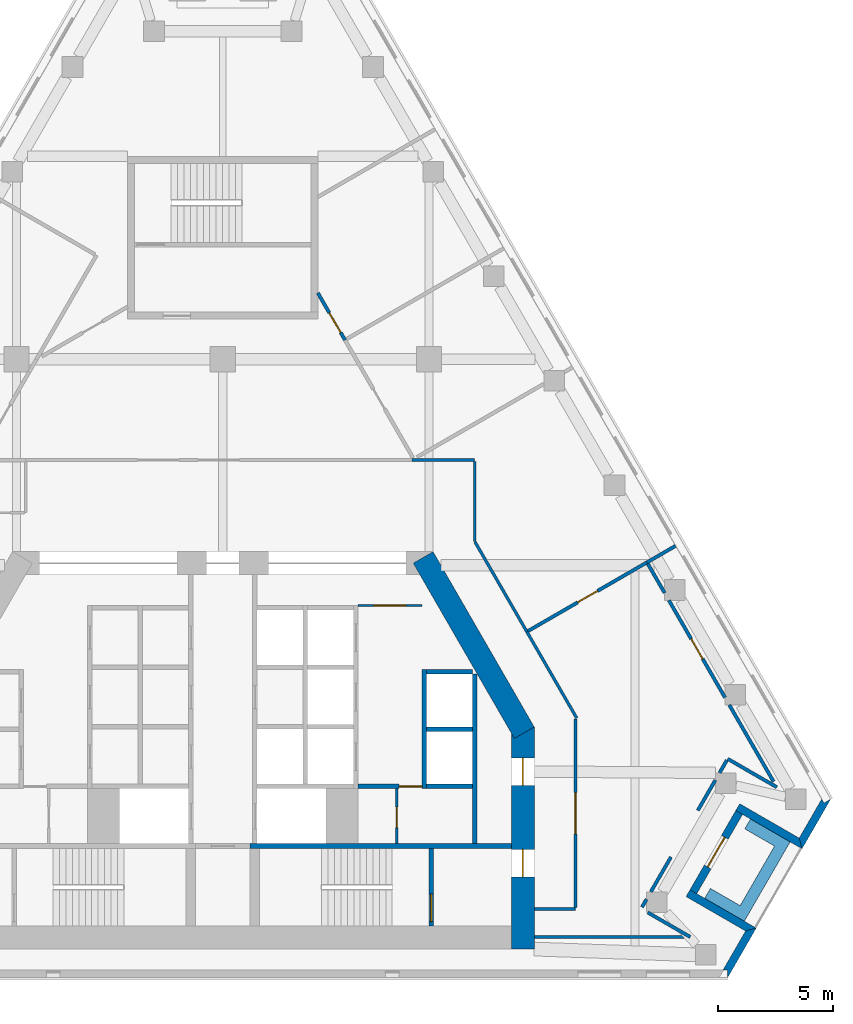
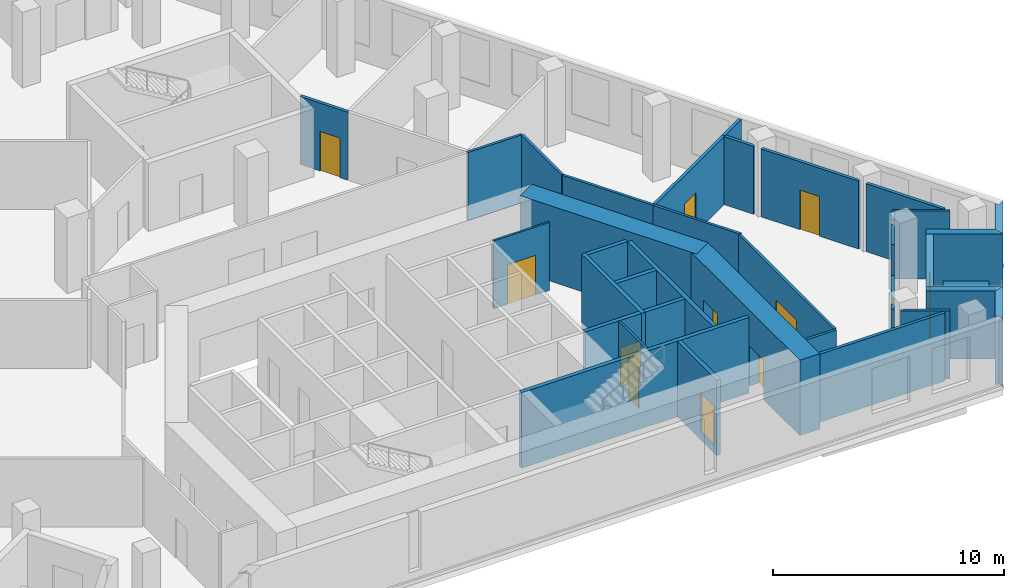
# One storey, part 5 of 8: 37 walls, 11 doors, 11 openings.
"""IFC4 building model written with IfcOpenShell, lengths in metres."""

from ifc_helpers import new_model, si_unit, direction, frame, frame_2d, origin, place, context, subcontext, project, spatial, polyline, rectangle, outline, extrude, material, layer, layer_set, type_object, element, fill, save


model = new_model("IFC4")

# Units and contexts
model_context = context("Model", 3, precision=1e-05, world=origin(), true_north=direction((0.0, 1.0)))
body_context = subcontext(model_context, "Body", "Model", "MODEL_VIEW")
ifc_project = project(units=[si_unit("LENGTHUNIT", "METRE"), si_unit("AREAUNIT", "SQUARE_METRE"), si_unit("VOLUMEUNIT", "CUBIC_METRE"), si_unit("PLANEANGLEUNIT", "RADIAN"), si_unit("MASSUNIT", "GRAM", prefix="KILO")], contexts=[model_context])

# Site, building, storey
site_placement = place(None, origin())
site = spatial("IfcSite", under=ifc_project, at=site_placement, CompositionType="ELEMENT")
building_placement = place(site_placement, origin())
building = spatial("IfcBuilding", under=site, at=building_placement, Name="Fogline Exchange Tower", CompositionType="ELEMENT")
storey_placement = place(building_placement, frame((0.0, 0.0, 243.5)))
storey = spatial("IfcBuildingStorey", under=building, at=storey_placement, Name="L55", CompositionType="ELEMENT", Elevation=243.5)

# Wall, opening, door
ifc_material_1 = material(Name="Blockwork partition", Category="masonry")
ifc_layer_1 = layer(ifc_material_1, 0.10009765625)
ifc_layer_set_1 = layer_set([ifc_layer_1], Name="CW10")
wall_type_1 = type_object("IfcWallType", Name="CW10", PredefinedType="PARTITIONING", material=ifc_layer_set_1)
wall_1_placement = place(storey_placement, frame((5.89990234375, 16.25, 0.0), z_axis=(0.0, 0.0, 1.0), x_axis=(1.0, 0.0, 0.0)))
wall_1 = element("IfcWall", 1, at=wall_1_placement, inside=storey, type_object=wall_type_1, Name="Lift lobby partition", PredefinedType="PARTITIONING", context=body_context, shape_type="SweptSolid", body=[
    extrude(rectangle(XDim=2.800048828125, YDim=0.10009765625, at=frame_2d((1.39990234375, 0.0))), origin(), (0.0, 0.0, 1.0), 3.60009765625),
])
opening_1_placement = place(wall_1_placement, frame((0.699951171875, 0.0, 0.0)))
opening_1 = element("IfcOpeningElement", 2, at=opening_1_placement, cuts=wall_1, Name="Opening T17-C016", PredefinedType="OPENING", context=body_context, shape_type="SweptSolid", body=[
    extrude(rectangle(XDim=1.39990234375, YDim=2.10009765625, at=frame_2d((0.699951171875, 1.050048828125))), frame((0.0, 0.06005859375, 0.0), z_axis=(0.0, -1.0, 0.0), x_axis=(1.0, 0.0, 0.0)), (0.0, 0.0, 1.0), 0.1201171875),
])
ifc_material_2 = material(Name="Steel and timber fire door", Category="steel")
door_type_1 = type_object("IfcDoorType", Name="D-LB1", OperationType="DOUBLE_DOOR_SINGLE_SWING", PredefinedType="DOOR", material=ifc_material_2)
door_1_placement = place(opening_1_placement, origin())
door_1 = element("IfcDoor", 3, at=door_1_placement, inside=storey, type_object=door_type_1, Name="Door to lift lobby", OperationType="DOUBLE_DOOR_SINGLE_SWING", OverallHeight=2.10009765625, OverallWidth=1.39990234375, PredefinedType="DOOR", context=body_context, shape_type="SweptSolid", body=[
    extrude(rectangle(XDim=1.39990234375, YDim=2.10009765625, at=frame_2d((0.699951171875, 1.050048828125))), frame((0.0, 0.02490234375, 0.0), z_axis=(0.0, -1.0, 0.0), x_axis=(1.0, 0.0, 0.0)), (0.0, 0.0, 1.0), 0.050048828125),
])
fill(opening_1, door_1)

wall_2_placement = place(storey_placement, frame((7.60009765625, 5.85009765625, 0.0), z_axis=(0.0, 0.0, 1.0), x_axis=(0.0, 1.0, 0.0)))
wall_2 = element("IfcWall", 4, at=wall_2_placement, inside=storey, type_object=wall_type_1, Name="WC partition", PredefinedType="PARTITIONING", context=body_context, shape_type="SweptSolid", body=[
    extrude(rectangle(XDim=2.39990234375, YDim=0.10009765625, at=frame_2d((1.199951171875, 0.0))), origin(), (0.0, 0.0, 1.0), 3.60009765625),
])
opening_2_placement = place(wall_2_placement, frame((0.699951171875, 0.0, 0.0)))
opening_2 = element("IfcOpeningElement", 5, at=opening_2_placement, cuts=wall_2, Name="Opening T17-C018", PredefinedType="OPENING", context=body_context, shape_type="SweptSolid", body=[
    extrude(rectangle(XDim=0.89990234375, YDim=2.10009765625, at=frame_2d((0.449951171875, 1.050048828125))), frame((0.0, 0.06005859375, 0.0), z_axis=(0.0, -1.0, 0.0), x_axis=(1.0, 0.0, 0.0)), (0.0, 0.0, 1.0), 0.1201171875),
])
door_type_2 = type_object("IfcDoorType", Name="D-CS1", OperationType="SINGLE_SWING_RIGHT", PredefinedType="DOOR", material=ifc_material_2)
door_2_placement = place(opening_2_placement, origin())
door_2 = element("IfcDoor", 6, at=door_2_placement, inside=storey, type_object=door_type_2, Name="Door to Cleaner's Store", OperationType="SINGLE_SWING_LEFT", OverallHeight=2.10009765625, OverallWidth=0.89990234375, PredefinedType="DOOR", context=body_context, shape_type="SweptSolid", body=[
    extrude(rectangle(XDim=0.89990234375, YDim=2.10009765625, at=frame_2d((0.449951171875, 1.050048828125))), frame((0.0, 0.02490234375, 0.0), z_axis=(0.0, -1.0, 0.0), x_axis=(1.0, 0.0, 0.0)), (0.0, 0.0, 1.0), 0.050048828125),
])
fill(opening_2, door_2)

# Wall
ifc_material_3 = material(Name="Concrete C40", Category="concrete")
ifc_layer_2 = layer(ifc_material_3, 0.199951171875)
ifc_layer_set_2 = layer_set([ifc_layer_2], Name="CW20")
wall_type_2 = type_object("IfcWallType", Name="CW20", PredefinedType="SOLIDWALL", material=ifc_layer_set_2)
wall_3_placement = place(storey_placement, frame((11.0, 5.85009765625, 0.0), z_axis=(0.0, 0.0, 1.0), x_axis=(0.0, 1.0, 0.0)))
element("IfcWall", 7, at=wall_3_placement, inside=storey, type_object=wall_type_2, Name="Service room wall", PredefinedType="SOLIDWALL", context=body_context, shape_type="SweptSolid", body=[
    extrude(rectangle(XDim=7.39990234375, YDim=0.199951171875, at=frame_2d((3.699951171875, 0.0))), origin(), (0.0, 0.0, 1.0), 3.60009765625),
])

# Wall, opening, door
wall_4_placement = place(storey_placement, frame((5.89990234375, 8.35009765625, 0.0), z_axis=(0.0, 0.0, 1.0), x_axis=(1.0, 0.0, 0.0)))
wall_4 = element("IfcWall", 8, at=wall_4_placement, inside=storey, type_object=wall_type_2, Name="WC wall", PredefinedType="SOLIDWALL", context=body_context, shape_type="SweptSolid", body=[
    extrude(rectangle(XDim=2.800048828125, YDim=0.199951171875, at=frame_2d((1.39990234375, 0.0))), origin(), (0.0, 0.0, 1.0), 3.60009765625),
])
opening_3_placement = place(wall_4_placement, frame((1.800048828125, 0.0, 0.0)))
opening_3 = element("IfcOpeningElement", 9, at=opening_3_placement, cuts=wall_4, Name="Opening T17-C017", PredefinedType="OPENING", context=body_context, shape_type="SweptSolid", body=[
    extrude(rectangle(XDim=1.0, YDim=2.10009765625, at=frame_2d((0.5, 1.050048828125))), frame((0.0, 0.10986328125, 0.0), z_axis=(0.0, -1.0, 0.0), x_axis=(1.0, 0.0, 0.0)), (0.0, 0.0, 1.0), 0.219970703125),
])
door_type_3 = type_object("IfcDoorType", Name="D-WC1", OperationType="SINGLE_SWING_LEFT", PredefinedType="DOOR", material=ifc_material_2)
door_3_placement = place(opening_3_placement, frame((1.0, 0.0, 0.0), z_axis=(0.0, 0.0, 1.0), x_axis=(-1.0, 0.0, 0.0)))
door_3 = element("IfcDoor", 10, at=door_3_placement, inside=storey, type_object=door_type_3, Name="Door to Women's WC", OperationType="SINGLE_SWING_LEFT", OverallHeight=2.10009765625, OverallWidth=1.0, PredefinedType="DOOR", context=body_context, shape_type="SweptSolid", body=[
    extrude(rectangle(XDim=1.0, YDim=2.10009765625, at=frame_2d((0.5, 1.050048828125))), frame((0.0, 0.02490234375, 0.0), z_axis=(0.0, -1.0, 0.0), x_axis=(1.0, 0.0, 0.0)), (0.0, 0.0, 1.0), 0.050048828125),
])
fill(opening_3, door_3)

# Wall
ifc_layer_3 = layer(ifc_material_3, 0.199951171875)
ifc_layer_set_3 = layer_set([ifc_layer_3], Name="CW20R")
wall_type_3 = type_object("IfcWallType", Name="CW20R", PredefinedType="SOLIDWALL", material=ifc_layer_set_3)
wall_5_placement = place(storey_placement, frame((1.199951171875, 5.75, -0.39990234375), z_axis=(0.0, 0.0, 1.0), x_axis=(1.0, 0.0, 0.0)))
element("IfcWall", 11, at=wall_5_placement, inside=storey, type_object=wall_type_3, Name="Stair enclosure wall", PredefinedType="SOLIDWALL", context=body_context, shape_type="SweptSolid", body=[
    extrude(rectangle(XDim=11.400146484375, YDim=0.199951171875, at=frame_2d((5.7001953125, 0.0))), origin(), (0.0, 0.0, 1.0), 4.0),
])

# Wall, opening, door
wall_6_placement = place(storey_placement, frame((9.10009765625, 2.25, -0.39990234375), z_axis=(0.0, 0.0, 1.0), x_axis=(0.0, 1.0, 0.0)))
wall_6 = element("IfcWall", 12, at=wall_6_placement, inside=storey, type_object=wall_type_3, Name="Stair enclosure wall", PredefinedType="SOLIDWALL", context=body_context, shape_type="SweptSolid", body=[
    extrude(rectangle(XDim=3.39990234375, YDim=0.199951171875, at=frame_2d((1.699951171875, 0.0))), origin(), (0.0, 0.0, 1.0), 4.0),
])
opening_4_placement = place(wall_6_placement, frame((0.199951171875, 0.0, 0.39990234375)))
opening_4 = element("IfcOpeningElement", 13, at=opening_4_placement, cuts=wall_6, Name="Opening T17-C020", PredefinedType="OPENING", context=body_context, shape_type="SweptSolid", body=[
    extrude(rectangle(XDim=1.199951171875, YDim=2.10009765625, at=frame_2d((0.60009765625, 1.050048828125))), frame((0.0, 0.10986328125, 0.0), z_axis=(0.0, -1.0, 0.0), x_axis=(1.0, 0.0, 0.0)), (0.0, 0.0, 1.0), 0.219970703125),
])
door_type_4 = type_object("IfcDoorType", Name="D-ST1", OperationType="SINGLE_SWING_LEFT", PredefinedType="DOOR", material=ifc_material_2)
door_4_placement = place(opening_4_placement, origin())
door_4 = element("IfcDoor", 14, at=door_4_placement, inside=storey, type_object=door_type_4, Name="Stair door ST2", OperationType="SINGLE_SWING_LEFT", OverallHeight=2.10009765625, OverallWidth=1.199951171875, PredefinedType="DOOR", context=body_context, shape_type="SweptSolid", body=[
    extrude(rectangle(XDim=1.199951171875, YDim=2.10009765625, at=frame_2d((0.60009765625, 1.050048828125))), frame((0.0, 0.02490234375, 0.0), z_axis=(0.0, -1.0, 0.0), x_axis=(1.0, 0.0, 0.0)), (0.0, 0.0, 1.0), 0.050048828125),
])
fill(opening_4, door_4)

# Walls
ifc_layer_4 = layer(ifc_material_3, 0.199951171875)
ifc_layer_set_4 = layer_set([ifc_layer_4], Name="CW20S")
wall_type_4 = type_object("IfcWallType", Name="CW20S", PredefinedType="SOLIDWALL", material=ifc_layer_set_4)
wall_7_placement = place(storey_placement, frame((8.800048828125, 8.25, -0.39990234375), z_axis=(0.0, 0.0, 1.0), x_axis=(0.0, 1.0, 0.0)))
element("IfcWall", 15, at=wall_7_placement, inside=storey, type_object=wall_type_4, Name="Lift shaft wall", PredefinedType="SOLIDWALL", context=body_context, shape_type="SweptSolid", body=[
    extrude(rectangle(XDim=5.199951171875, YDim=0.199951171875, at=frame_2d((2.60009765625, 0.0))), origin(), (0.0, 0.0, 1.0), 4.0),
])
for number, where, z_axis, x_axis, name in (
    (16, (8.89990234375, 8.35009765625, -0.39990234375), (0.0, 0.0, 1.0), (1.0, 0.0, 0.0), "Lift shaft wall"),
    (17, (8.89990234375, 10.85009765625, -0.39990234375), (0.0, 0.0, 1.0), (1.0, 0.0, 0.0), "Lift shaft wall"),
    (18, (8.89990234375, 13.35009765625, -0.39990234375), (0.0, 0.0, 1.0), (1.0, 0.0, 0.0), "Lift shaft wall"),
):
    element("IfcWall", number, at=place(storey_placement, frame(where, z_axis=z_axis, x_axis=x_axis)), inside=storey, type_object=wall_type_4, Name=name, PredefinedType="SOLIDWALL", context=body_context, shape_type="SweptSolid", body=[
        extrude(rectangle(XDim=2.0, YDim=0.199951171875, at=frame_2d((1.0, 0.0))), origin(), (0.0, 0.0, 1.0), 4.0),
    ])
ifc_material_4 = material(Name="Brick masonry", Category="masonry")
ifc_layer_5 = layer(ifc_material_4, 0.340087890625)
ifc_layer_set_5 = layer_set([ifc_layer_5], Name="FW1")
wall_type_5 = type_object("IfcWallType", Name="FW1", PredefinedType="SOLIDWALL", material=ifc_layer_set_5)
wall_8_placement = place(storey_placement, origin())
element("IfcWall", 19, at=wall_8_placement, inside=storey, type_object=wall_type_5, Name="Brick wall L55 SE-c1", PredefinedType="SOLIDWALL", context=body_context, shape_type="SweptSolid", body=[
    extrude(outline(polyline([(23.292724609375, 2.165771484375), (22.041748046875, -0.001220703125), (22.041259765625, -0.0009765625), (22.041259765625, 0.33935546875), (21.844482421875, 0.33935546875), (22.826904296875, 2.041015625), (23.29248046875, 2.166015625), (23.292724609375, 2.165771484375)])), origin(), (0.0, 0.0, 1.0), 3.60009765625),
])
wall_9_placement = place(storey_placement, origin())
element("IfcWall", 20, at=wall_9_placement, inside=storey, type_object=wall_type_5, Name="Brick wall L55 SE-s1", PredefinedType="SOLIDWALL", context=body_context, shape_type="SweptSolid", body=[
    extrude(outline(polyline([(20.228515625, 3.540283203125), (20.39892578125, 3.8359375), (20.694091796875, 3.66552734375), (23.29296875, 2.1650390625), (23.29296875, 2.164794921875), (22.8271484375, 2.0400390625), (20.228515625, 3.540283203125)])), origin(), (0.0, 0.0, 1.0), 3.60009765625),
])

# Wall, opening, door
wall_10_placement = place(storey_placement, frame((20.54638671875, 3.75, 0.0), z_axis=(0.0, 0.0, 1.0), x_axis=(0.49999894854, 0.866026010844, 0.0)))
wall_10 = element("IfcWall", 21, at=wall_10_placement, inside=storey, type_object=wall_type_5, Name="Brick wall L55 SE-bk", PredefinedType="SOLIDWALL", context=body_context, shape_type="SweptSolid", body=[
    extrude(rectangle(XDim=4.0, YDim=0.340087890625, at=frame_2d((2.0, 0.0))), origin(), (0.0, 0.0, 1.0), 3.60009765625),
])
opening_5_placement = place(wall_10_placement, frame((1.25, 0.0, 0.0)))
opening_5 = element("IfcOpeningElement", 22, at=opening_5_placement, cuts=wall_10, Name="Opening T17-E081", PredefinedType="OPENING", context=body_context, shape_type="SweptSolid", body=[
    extrude(rectangle(XDim=1.5, YDim=2.39990234375, at=frame_2d((0.75, 1.199951171875))), frame((0.0, 0.18017578125, 0.0), z_axis=(0.0, -1.0, 0.0), x_axis=(1.0, 0.0, 0.0)), (0.0, 0.0, 1.0), 0.360107421875),
])
ifc_material_5 = material(Name="Aluminium and glass", Category="aluminium")
door_type_5 = type_object("IfcDoorType", Name="ED4", OperationType="SINGLE_SWING_LEFT", PredefinedType="DOOR", material=ifc_material_5)
door_5_placement = place(opening_5_placement, frame((1.5, 0.0, 0.0), z_axis=(0.0, 0.0, 1.0), x_axis=(-1.0, 0.0, 0.0)))
door_5 = element("IfcDoor", 23, at=door_5_placement, inside=storey, type_object=door_type_5, Name="Balcony door L55 SE", OperationType="DOUBLE_DOOR_SINGLE_SWING", OverallHeight=2.39990234375, OverallWidth=1.5, PredefinedType="DOOR", context=body_context, shape_type="SweptSolid", body=[
    extrude(rectangle(XDim=1.5, YDim=2.39990234375, at=frame_2d((0.75, 1.199951171875))), frame((0.0, 0.02490234375, 0.0), z_axis=(0.0, -1.0, 0.0), x_axis=(1.0, 0.0, 0.0)), (0.0, 0.0, 1.0), 0.050048828125),
])
fill(opening_5, door_5)

# Walls
wall_11_placement = place(storey_placement, origin())
element("IfcWall", 24, at=wall_11_placement, inside=storey, type_object=wall_type_5, Name="Brick wall L55 SE-s2", PredefinedType="SOLIDWALL", context=body_context, shape_type="SweptSolid", body=[
    extrude(outline(polyline([(25.292236328125, 5.628173828125), (22.693359375, 7.128662109375), (22.3984375, 7.298828125), (22.569091796875, 7.594482421875), (25.167724609375, 6.093994140625), (25.29248046875, 5.62841796875), (25.292236328125, 5.628173828125)])), origin(), (0.0, 0.0, 1.0), 3.60009765625),
])
wall_12_placement = place(storey_placement, origin())
element("IfcWall", 25, at=wall_12_placement, inside=storey, type_object=wall_type_5, Name="Brick wall L55 SE-c2", PredefinedType="SOLIDWALL", context=body_context, shape_type="SweptSolid", body=[
    extrude(outline(polyline([(26.149169921875, 7.79541015625), (26.24755859375, 7.625), (26.54248046875, 7.79541015625), (26.542724609375, 7.794921875), (25.291748046875, 5.6279296875), (25.29150390625, 5.6279296875), (25.166748046875, 6.09375), (26.149169921875, 7.79541015625)])), origin(), (0.0, 0.0, 1.0), 3.60009765625),
])
ifc_material_6 = material(Name="Concrete C30", Category="concrete")
ifc_layer_6 = layer(ifc_material_6, 0.199951171875)
ifc_layer_set_6 = layer_set([ifc_layer_6], Name="PL1")
wall_type_6 = type_object("IfcWallType", Name="PL1", PredefinedType="USERDEFINED", material=ifc_layer_set_6)
wall_13_placement = place(storey_placement, origin())
element("IfcWall", 26, at=wall_13_placement, inside=storey, type_object=wall_type_6, Name="PLANTER balcony L55 SE", ObjectType="PLANTER", PredefinedType="USERDEFINED", context=body_context, shape_type="SweptSolid", body=[
    extrude(outline(polyline([(21.0400390625, 3.465087890625), (22.339111328125, 2.715087890625), (22.339111328125, 2.715087890625), (22.772216796875, 2.465087890625), (24.522216796875, 5.49609375), (24.772216796875, 5.92919921875), (23.0400390625, 6.92919921875), (22.7900390625, 6.49609375), (24.089111328125, 5.74609375), (22.589111328125, 3.148193359375), (21.2900390625, 3.898193359375), (21.0400390625, 3.465087890625)])), origin(), (0.0, 0.0, 1.0), 1.10009765625),
])
ifc_material_7 = material(Name="Plasterboard corridor partition with mineral wool, 2 layers each side")
ifc_layer_7 = layer(ifc_material_7, 0.125)
ifc_layer_set_7 = layer_set([ifc_layer_7], Name="PW2")
wall_type_7 = type_object("IfcWallType", Name="PW2", PredefinedType="PARTITIONING", material=ifc_layer_set_7)
wall_14_placement = place(storey_placement, frame((11.015380859375, 19.02197265625, 0.0), z_axis=(0.0, 0.0, 1.0), x_axis=(0.50001679657, -0.866015706063, 0.0)))
element("IfcWall", 27, at=wall_14_placement, inside=storey, type_object=wall_type_7, Name="wall-L55-W001", PredefinedType="PARTITIONING", context=body_context, shape_type="SweptSolid", body=[
    extrude(rectangle(XDim=4.523193359375, YDim=0.125, at=frame_2d((2.26171875, 0.0))), origin(), (0.0, 0.0, 1.0), 3.60009765625),
])
wall_15_placement = place(storey_placement, frame((13.277099609375, 15.104736328125, 0.0), z_axis=(0.0, 0.0, 1.0), x_axis=(0.500010417683, -0.866019389049, 0.0)))
element("IfcWall", 28, at=wall_15_placement, inside=storey, type_object=wall_type_7, Name="wall-L55-W002", PredefinedType="PARTITIONING", context=body_context, shape_type="SweptSolid", body=[
    extrude(rectangle(XDim=4.3544921875, YDim=0.125, at=frame_2d((2.17724609375, 0.0))), origin(), (0.0, 0.0, 1.0), 3.60009765625),
])

# Wall, opening, door
wall_16_placement = place(storey_placement, frame((15.39990234375, 11.302734375, 0.0), z_axis=(0.0, 0.0, 1.0), x_axis=(0.0, -1.0, 0.0)))
wall_16 = element("IfcWall", 29, at=wall_16_placement, inside=storey, type_object=wall_type_7, Name="wall-L55-W003", PredefinedType="PARTITIONING", context=body_context, shape_type="SweptSolid", body=[
    extrude(rectangle(XDim=8.240234375, YDim=0.125, at=frame_2d((4.1201171875, 0.0))), origin(), (0.0, 0.0, 1.0), 3.60009765625),
])
opening_6_placement = place(wall_16_placement, frame((3.22021484375, 0.0, 0.0)))
opening_6 = element("IfcOpeningElement", 30, at=opening_6_placement, cuts=wall_16, Name="Opening T17-D001", PredefinedType="OPENING", context=body_context, shape_type="SweptSolid", body=[
    extrude(rectangle(XDim=1.800048828125, YDim=2.10009765625, at=frame_2d((0.89990234375, 1.050048828125))), frame((0.0, 0.072509765625, 0.0), z_axis=(0.0, -1.0, 0.0), x_axis=(1.0, 0.0, 0.0)), (0.0, 0.0, 1.0), 0.14501953125),
])
ifc_material_8 = material(Name="Fire-rated timber door leaves with steel frame", Category="steel")
door_type_6 = type_object("IfcDoorType", Name="D4", OperationType="DOUBLE_DOOR_SINGLE_SWING", PredefinedType="DOOR", material=ifc_material_8)
door_6_placement = place(opening_6_placement, frame((1.800048828125, 0.0, 0.0), z_axis=(0.0, 0.0, 1.0), x_axis=(-1.0, 0.0, 0.0)))
door_6 = element("IfcDoor", 31, at=door_6_placement, inside=storey, type_object=door_type_6, Name="door-L55-D001", OperationType="DOUBLE_DOOR_SINGLE_SWING", OverallHeight=2.10009765625, OverallWidth=1.800048828125, PredefinedType="DOOR", context=body_context, shape_type="SweptSolid", body=[
    extrude(rectangle(XDim=1.800048828125, YDim=2.10009765625, at=frame_2d((0.89990234375, 1.050048828125))), frame((0.0, 0.02490234375, 0.0), z_axis=(0.0, -1.0, 0.0), x_axis=(1.0, 0.0, 0.0)), (0.0, 0.0, 1.0), 0.050048828125),
])
fill(opening_6, door_6)

# Walls
wall_17_placement = place(storey_placement, frame((15.39990234375, 3.0, 0.0), z_axis=(0.0, 0.0, 1.0), x_axis=(-1.0, 0.0, 0.0)))
element("IfcWall", 32, at=wall_17_placement, inside=storey, type_object=wall_type_7, Name="wall-L55-W004", PredefinedType="PARTITIONING", context=body_context, shape_type="SweptSolid", body=[
    extrude(rectangle(XDim=1.7998046875, YDim=0.125, at=frame_2d((0.89990234375, 0.0))), origin(), (0.0, 0.0, 1.0), 3.60009765625),
])
wall_18_placement = place(storey_placement, frame((8.25927734375, 22.60009765625, 0.0), z_axis=(0.0, 0.0, 1.0), x_axis=(1.0, 0.0, 0.0)))
element("IfcWall", 33, at=wall_18_placement, inside=storey, type_object=wall_type_7, Name="wall-L55-W005", PredefinedType="PARTITIONING", context=body_context, shape_type="SweptSolid", body=[
    extrude(rectangle(XDim=2.74072265625, YDim=0.125, at=frame_2d((1.370361328125, 0.0))), origin(), (0.0, 0.0, 1.0), 3.60009765625),
])
wall_19_placement = place(storey_placement, frame((11.0, 22.53759765625, 0.0), z_axis=(0.0, 0.0, 1.0), x_axis=(0.0, -1.0, 0.0)))
element("IfcWall", 34, at=wall_19_placement, inside=storey, type_object=wall_type_7, Name="wall-L55-W006", PredefinedType="PARTITIONING", context=body_context, shape_type="SweptSolid", body=[
    extrude(rectangle(XDim=3.489013671875, YDim=0.125, at=frame_2d((1.74462890625, 0.0))), origin(), (0.0, 0.0, 1.0), 3.60009765625),
])
ifc_material_9 = material(Name="Plasterboard demising partition with mineral wool and acoustic board")
ifc_layer_8 = layer(ifc_material_9, 0.14990234375)
ifc_layer_set_8 = layer_set([ifc_layer_8], Name="PW3")
wall_type_8 = type_object("IfcWallType", Name="PW3", PredefinedType="PARTITIONING", material=ifc_layer_set_8)
wall_20_placement = place(storey_placement, frame((19.765625, 18.850830078125, 0.0), z_axis=(0.0, 0.0, 1.0), x_axis=(-0.866038426532, -0.499977443261, 0.0)))
element("IfcWall", 35, at=wall_20_placement, inside=storey, type_object=wall_type_8, Name="wall-L55-W017", PredefinedType="PARTITIONING", context=body_context, shape_type="SweptSolid", body=[
    extrude(rectangle(XDim=1.4365234375, YDim=0.14990234375, at=frame_2d((0.71826171875, 0.0))), origin(), (0.0, 0.0, 1.0), 3.60009765625),
])

# Wall, opening, door
wall_21_placement = place(storey_placement, frame((18.521484375, 18.132568359375, 0.0), z_axis=(0.0, 0.0, 1.0), x_axis=(-0.866023452362, -0.500003379947, 0.0)))
wall_21 = element("IfcWall", 36, at=wall_21_placement, inside=storey, type_object=wall_type_8, Name="wall-L55-W018", PredefinedType="PARTITIONING", context=body_context, shape_type="SweptSolid", body=[
    extrude(rectangle(XDim=5.9931640625, YDim=0.14990234375, at=frame_2d((2.99658203125, 0.0))), origin(), (0.0, 0.0, 1.0), 3.60009765625),
])
opening_7_placement = place(wall_21_placement, frame((2.49658203125, 0.0, 0.0)))
opening_7 = element("IfcOpeningElement", 37, at=opening_7_placement, cuts=wall_21, Name="Opening T17-D007", PredefinedType="OPENING", context=body_context, shape_type="SweptSolid", body=[
    extrude(rectangle(XDim=1.0, YDim=2.10009765625, at=frame_2d((0.5, 1.050048828125))), frame((0.0, 0.0849609375, 0.0), z_axis=(0.0, -1.0, 0.0), x_axis=(1.0, 0.0, 0.0)), (0.0, 0.0, 1.0), 0.169921875),
])
ifc_material_10 = material(Name="Fire-rated timber door leaf with steel frame", Category="steel")
door_type_7 = type_object("IfcDoorType", Name="D3", OperationType="SINGLE_SWING_LEFT", PredefinedType="DOOR", material=ifc_material_10)
door_7_placement = place(opening_7_placement, frame((1.0, 0.0, 0.0), z_axis=(0.0, 0.0, 1.0), x_axis=(-1.0, 0.0, 0.0)))
door_7 = element("IfcDoor", 38, at=door_7_placement, inside=storey, type_object=door_type_7, Name="door-L55-D007", OperationType="SINGLE_SWING_RIGHT", OverallHeight=2.10009765625, OverallWidth=1.0, PredefinedType="DOOR", context=body_context, shape_type="SweptSolid", body=[
    extrude(rectangle(XDim=1.0, YDim=2.10009765625, at=frame_2d((0.5, 1.050048828125))), frame((0.0, 0.02490234375, 0.0), z_axis=(0.0, -1.0, 0.0), x_axis=(1.0, 0.0, 0.0)), (0.0, 0.0, 1.0), 0.050048828125),
])
fill(opening_7, door_7)

wall_22_placement = place(storey_placement, frame((5.33740234375, 27.84130859375, 0.0), z_axis=(0.0, 0.0, 1.0), x_axis=(-0.500030943131, 0.866007538022, 0.0)))
wall_22 = element("IfcWall", 39, at=wall_22_placement, inside=storey, type_object=wall_type_8, Name="wall-L55-W022", PredefinedType="PARTITIONING", context=body_context, shape_type="SweptSolid", body=[
    extrude(rectangle(XDim=2.374755859375, YDim=0.14990234375, at=frame_2d((1.1875, 0.0))), origin(), (0.0, 0.0, 1.0), 3.60009765625),
])
opening_8_placement = place(wall_22_placement, frame((0.369384765625, 0.0, 0.0)))
opening_8 = element("IfcOpeningElement", 40, at=opening_8_placement, cuts=wall_22, Name="Opening T17-D009", PredefinedType="OPENING", context=body_context, shape_type="SweptSolid", body=[
    extrude(rectangle(XDim=1.0, YDim=2.10009765625, at=frame_2d((0.5, 1.050048828125))), frame((0.0, 0.0849609375, 0.0), z_axis=(0.0, -1.0, 0.0), x_axis=(1.0, 0.0, 0.0)), (0.0, 0.0, 1.0), 0.169921875),
])
door_8_placement = place(opening_8_placement, frame((1.0, 0.0, 0.0), z_axis=(0.0, 0.0, 1.0), x_axis=(-1.0, 0.0, 0.0)))
door_8 = element("IfcDoor", 41, at=door_8_placement, inside=storey, type_object=door_type_7, Name="door-L55-D009", OperationType="SINGLE_SWING_RIGHT", OverallHeight=2.10009765625, OverallWidth=1.0, PredefinedType="DOOR", context=body_context, shape_type="SweptSolid", body=[
    extrude(rectangle(XDim=1.0, YDim=2.10009765625, at=frame_2d((0.5, 1.050048828125))), frame((0.0, 0.02490234375, 0.0), z_axis=(0.0, -1.0, 0.0), x_axis=(1.0, 0.0, 0.0)), (0.0, 0.0, 1.0), 0.050048828125),
])
fill(opening_8, door_8)

# Walls
wall_23_placement = place(storey_placement, frame((13.60009765625, 1.776611328125, 0.0), z_axis=(0.0, 0.0, 1.0), x_axis=(1.0, 0.0, 0.0)))
element("IfcWall", 42, at=wall_23_placement, inside=storey, type_object=wall_type_8, Name="wall-L55-W035", PredefinedType="PARTITIONING", context=body_context, shape_type="SweptSolid", body=[
    extrude(rectangle(XDim=6.53125, YDim=0.14990234375, at=frame_2d((3.265625, 0.0))), origin(), (0.0, 0.0, 1.0), 3.60009765625),
])
wall_24_placement = place(storey_placement, frame((20.41162109375, 1.776611328125, 0.0), z_axis=(0.0, 0.0, 1.0), x_axis=(-0.866028272008, 0.499995032058, 0.0)))
element("IfcWall", 43, at=wall_24_placement, inside=storey, type_object=wall_type_8, Name="wall-L55-W036", PredefinedType="PARTITIONING", context=body_context, shape_type="SweptSolid", body=[
    extrude(rectangle(XDim=2.14501953125, YDim=0.14990234375, at=frame_2d((1.072509765625, 0.0))), origin(), (0.0, 0.0, 1.0), 3.60009765625),
])
wall_25_placement = place(storey_placement, frame((18.304443359375, 3.079833984375, 0.0), z_axis=(0.0, 0.0, 1.0), x_axis=(0.500389020248, 0.86580068631, 0.0)))
element("IfcWall", 44, at=wall_25_placement, inside=storey, type_object=wall_type_8, Name="wall-L55-W037", PredefinedType="PARTITIONING", context=body_context, shape_type="SweptSolid", body=[
    extrude(rectangle(XDim=0.401611328125, YDim=0.14990234375, at=frame_2d((0.20068359375, 0.0))), origin(), (0.0, 0.0, 1.0), 3.60009765625),
])
wall_26_placement = place(storey_placement, frame((18.69091796875, 3.7490234375, 0.0), z_axis=(0.0, 0.0, 1.0), x_axis=(0.499927324528, 0.866067358922, 0.0)))
element("IfcWall", 45, at=wall_26_placement, inside=storey, type_object=wall_type_8, Name="wall-L55-W038", PredefinedType="PARTITIONING", context=body_context, shape_type="SweptSolid", body=[
    extrude(rectangle(XDim=1.753662109375, YDim=0.14990234375, at=frame_2d((0.876953125, 0.0))), origin(), (0.0, 0.0, 1.0), 3.60009765625),
])
wall_27_placement = place(storey_placement, frame((20.74267578125, 7.302978515625, 0.0), z_axis=(0.0, 0.0, 1.0), x_axis=(0.50006423267, 0.865988315859, 0.0)))
element("IfcWall", 46, at=wall_27_placement, inside=storey, type_object=wall_type_8, Name="wall-L55-W039", PredefinedType="PARTITIONING", context=body_context, shape_type="SweptSolid", body=[
    extrude(rectangle(XDim=1.525146484375, YDim=0.14990234375, at=frame_2d((0.7626953125, 0.0))), origin(), (0.0, 0.0, 1.0), 3.60009765625),
])
wall_28_placement = place(storey_placement, frame((21.69091796875, 8.9453125, 0.0), z_axis=(0.0, 0.0, 1.0), x_axis=(0.499890179513, 0.866088799389, 0.0)))
element("IfcWall", 47, at=wall_28_placement, inside=storey, type_object=wall_type_8, Name="wall-L55-W040", PredefinedType="PARTITIONING", context=body_context, shape_type="SweptSolid", body=[
    extrude(rectangle(XDim=0.630126953125, YDim=0.14990234375, at=frame_2d((0.31494140625, 0.0))), origin(), (0.0, 0.0, 1.0), 3.60009765625),
])
wall_29_placement = place(storey_placement, frame((22.04345703125, 9.555908203125, 0.0), z_axis=(0.0, 0.0, 1.0), x_axis=(0.866026347786, -0.499998364937, 0.0)))
element("IfcWall", 48, at=wall_29_placement, inside=storey, type_object=wall_type_8, Name="wall-L55-W041", PredefinedType="PARTITIONING", context=body_context, shape_type="SweptSolid", body=[
    extrude(rectangle(XDim=2.4765625, YDim=0.14990234375, at=frame_2d((1.23828125, 0.0))), origin(), (0.0, 0.0, 1.0), 3.60009765625),
])
wall_30_placement = place(storey_placement, frame((24.048095703125, 8.560546875, 0.0), z_axis=(0.0, 0.0, 1.0), x_axis=(-0.500001053386, 0.866024795611, 0.0)))
element("IfcWall", 49, at=wall_30_placement, inside=storey, type_object=wall_type_8, Name="wall-L55-W042", PredefinedType="PARTITIONING", context=body_context, shape_type="SweptSolid", body=[
    extrude(rectangle(XDim=3.86865234375, YDim=0.14990234375, at=frame_2d((1.934326171875, 0.0))), origin(), (0.0, 0.0, 1.0), 3.60009765625),
])

# Wall, opening, door
wall_31_placement = place(storey_placement, frame((21.92822265625, 12.232177734375, 0.0), z_axis=(0.0, 0.0, 1.0), x_axis=(-0.500001252094, 0.866024680886, 0.0)))
wall_31 = element("IfcWall", 50, at=wall_31_placement, inside=storey, type_object=wall_type_8, Name="wall-L55-W043", PredefinedType="PARTITIONING", context=body_context, shape_type="SweptSolid", body=[
    extrude(rectangle(XDim=4.90185546875, YDim=0.14990234375, at=frame_2d((2.450927734375, 0.0))), origin(), (0.0, 0.0, 1.0), 3.60009765625),
])
opening_9_placement = place(wall_31_placement, frame((1.950927734375, 0.0, 0.0)))
opening_9 = element("IfcOpeningElement", 51, at=opening_9_placement, cuts=wall_31, Name="Opening T17-D012", PredefinedType="OPENING", context=body_context, shape_type="SweptSolid", body=[
    extrude(rectangle(XDim=1.0, YDim=2.10009765625, at=frame_2d((0.5, 1.050048828125))), frame((0.0, 0.0849609375, 0.0), z_axis=(0.0, -1.0, 0.0), x_axis=(1.0, 0.0, 0.0)), (0.0, 0.0, 1.0), 0.169921875),
])
door_9_placement = place(opening_9_placement, frame((1.0, 0.0, 0.0), z_axis=(0.0, 0.0, 1.0), x_axis=(-1.0, 0.0, 0.0)))
door_9 = element("IfcDoor", 52, at=door_9_placement, inside=storey, type_object=door_type_7, Name="door-L55-D012", OperationType="SINGLE_SWING_RIGHT", OverallHeight=2.10009765625, OverallWidth=1.0, PredefinedType="DOOR", context=body_context, shape_type="SweptSolid", body=[
    extrude(rectangle(XDim=1.0, YDim=2.10009765625, at=frame_2d((0.5, 1.050048828125))), frame((0.0, 0.02490234375, 0.0), z_axis=(0.0, -1.0, 0.0), x_axis=(1.0, 0.0, 0.0)), (0.0, 0.0, 1.0), 0.050048828125),
])
fill(opening_9, door_9)

# Wall
wall_32_placement = place(storey_placement, frame((19.291748046875, 16.798583984375, 0.0), z_axis=(0.0, 0.0, 1.0), x_axis=(-0.499991665488, 0.866030215664, 0.0)))
element("IfcWall", 53, at=wall_32_placement, inside=storey, type_object=wall_type_8, Name="wall-L55-W044", PredefinedType="PARTITIONING", context=body_context, shape_type="SweptSolid", body=[
    extrude(rectangle(XDim=1.46533203125, YDim=0.14990234375, at=frame_2d((0.732666015625, 0.0))), origin(), (0.0, 0.0, 1.0), 3.60009765625),
])

# Wall, openings, doors
ifc_material_11 = material(Name="Concrete C60", Category="concrete")
ifc_layer_9 = layer(ifc_material_11, 1.0)
ifc_layer_set_9 = layer_set([ifc_layer_9], Name="SW03")
wall_type_9 = type_object("IfcWallType", Name="SW03", PredefinedType="SHEAR", material=ifc_layer_set_9)
wall_33_placement = place(storey_placement, frame((13.10009765625, 1.25, 0.0), z_axis=(0.0, 0.0, 1.0), x_axis=(0.0, 1.0, 0.0)))
wall_33 = element("IfcWall", 54, at=wall_33_placement, inside=storey, type_object=wall_type_9, Name="L55-W902", PredefinedType="SHEAR", context=body_context, shape_type="SweptSolid", body=[
    extrude(rectangle(XDim=9.6953125, YDim=1.0, at=frame_2d((4.84765625, 0.0))), origin(), (0.0, 0.0, 1.0), 4.0),
])
opening_10_placement = place(wall_33_placement, frame((3.14990234375, 0.0, 0.0)))
opening_10 = element("IfcOpeningElement", 55, at=opening_10_placement, cuts=wall_33, Name="Opening T17-C019", PredefinedType="OPENING", context=body_context, shape_type="SweptSolid", body=[
    extrude(rectangle(XDim=1.199951171875, YDim=2.10009765625, at=frame_2d((0.60009765625, 1.050048828125))), frame((0.0, 0.510009765625, 0.0), z_axis=(0.0, -1.0, 0.0), x_axis=(1.0, 0.0, 0.0)), (0.0, 0.0, 1.0), 1.02001953125),
])
opening_11_placement = place(wall_33_placement, frame((7.14990234375, 0.0, 0.0)))
opening_11 = element("IfcOpeningElement", 56, at=opening_11_placement, cuts=wall_33, Name="Opening T17-C021", PredefinedType="OPENING", context=body_context, shape_type="SweptSolid", body=[
    extrude(rectangle(XDim=1.199951171875, YDim=2.10009765625, at=frame_2d((0.60009765625, 1.050048828125))), frame((0.0, 0.510009765625, 0.0), z_axis=(0.0, -1.0, 0.0), x_axis=(1.0, 0.0, 0.0)), (0.0, 0.0, 1.0), 1.02001953125),
])
door_type_8 = type_object("IfcDoorType", Name="D-FR1", OperationType="SINGLE_SWING_RIGHT", PredefinedType="DOOR", material=ifc_material_2)
door_10_placement = place(opening_10_placement, origin())
door_10 = element("IfcDoor", 57, at=door_10_placement, inside=storey, type_object=door_type_8, Name="Front room door ST2", OperationType="SINGLE_SWING_RIGHT", OverallHeight=2.10009765625, OverallWidth=1.199951171875, PredefinedType="DOOR", context=body_context, shape_type="SweptSolid", body=[
    extrude(rectangle(XDim=1.199951171875, YDim=2.10009765625, at=frame_2d((0.60009765625, 1.050048828125))), frame((0.0, 0.02490234375, 0.0), z_axis=(0.0, -1.0, 0.0), x_axis=(1.0, 0.0, 0.0)), (0.0, 0.0, 1.0), 0.050048828125),
])
fill(opening_10, door_10)
door_type_9 = type_object("IfcDoorType", Name="D-SV1", OperationType="SINGLE_SWING_LEFT", PredefinedType="DOOR", material=ifc_material_2)
door_11_placement = place(opening_11_placement, origin())
door_11 = element("IfcDoor", 58, at=door_11_placement, inside=storey, type_object=door_type_9, Name="Service door E", OperationType="SINGLE_SWING_RIGHT", OverallHeight=2.10009765625, OverallWidth=1.199951171875, PredefinedType="DOOR", context=body_context, shape_type="SweptSolid", body=[
    extrude(rectangle(XDim=1.199951171875, YDim=2.10009765625, at=frame_2d((0.60009765625, 1.050048828125))), frame((0.0, 0.02490234375, 0.0), z_axis=(0.0, -1.0, 0.0), x_axis=(1.0, 0.0, 0.0)), (0.0, 0.0, 1.0), 0.050048828125),
])
fill(opening_11, door_11)

# Wall
wall_34_placement = place(storey_placement, frame((13.1669921875, 10.6953125, 0.0), z_axis=(0.0, 0.0, 1.0), x_axis=(-0.499995021168, 0.866028278295, 0.0)))
element("IfcWall", 59, at=wall_34_placement, inside=storey, type_object=wall_type_9, Name="L55-W903", PredefinedType="SHEAR", context=body_context, shape_type="SweptSolid", body=[
    extrude(rectangle(XDim=8.8388671875, YDim=1.0, at=frame_2d((4.41943359375, 0.0))), origin(), (0.0, 0.0, 1.0), 4.0),
])

save(model, "model.ifc")
